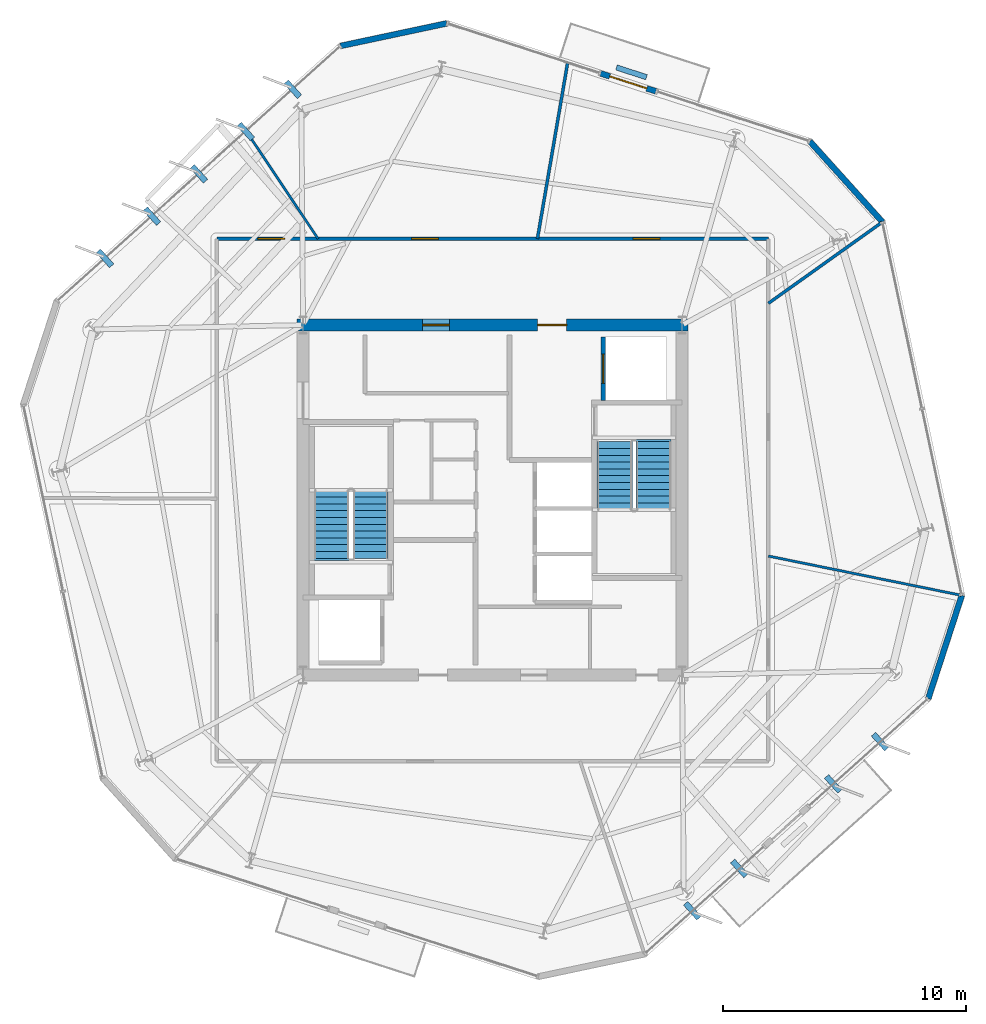
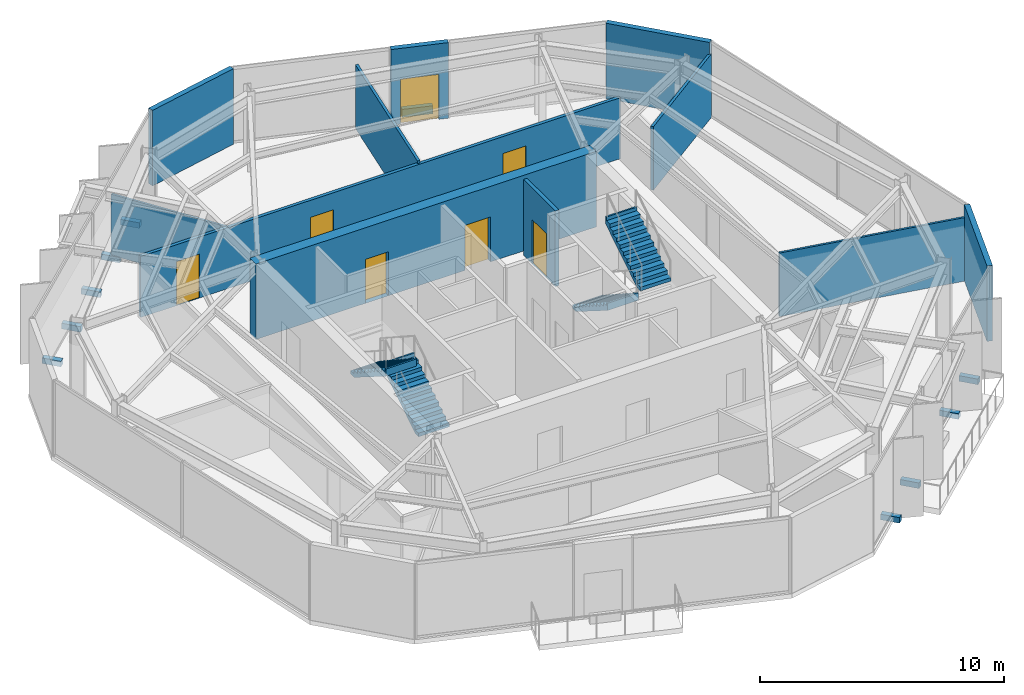
# One storey, part 8 of 11: 12 walls, 9 discrete accessories, 7 doors, 4 stair flights, 7 openings, 2 elements without a shape of their own.
"""IFC4 building model written with IfcOpenShell, lengths in metres."""

from ifc_helpers import new_model, si_unit, direction, frame, frame_2d, origin, origin_2d, place, context, subcontext, project, spatial, polyline, rectangle, outline, extrude, material, layer, layer_set, type_object, element, fill, aggregate, save


model = new_model("IFC4")

# Units and contexts
model_context = context("Model", 3, precision=1e-05, world=origin(), true_north=direction((0.0, 1.0)))
body_context = subcontext(model_context, "Body", "Model", "MODEL_VIEW")
ifc_project = project(units=[si_unit("LENGTHUNIT", "METRE"), si_unit("AREAUNIT", "SQUARE_METRE"), si_unit("VOLUMEUNIT", "CUBIC_METRE"), si_unit("PLANEANGLEUNIT", "RADIAN"), si_unit("MASSUNIT", "GRAM", prefix="KILO")], contexts=[model_context])

# Site, building, storey
site_placement = place(None, origin())
site = spatial("IfcSite", under=ifc_project, at=site_placement, CompositionType="ELEMENT")
building_placement = place(site_placement, origin())
building = spatial("IfcBuilding", under=site, at=building_placement, Name="Kranzbogen Civic Tower", CompositionType="ELEMENT")
storey_placement = place(building_placement, frame((0.0, 0.0, 192.800048828125)))
storey = spatial("IfcBuildingStorey", under=building, at=storey_placement, Name="L46", CompositionType="ELEMENT", Elevation=192.800048828125)

# Wall, openings, doors
ifc_material_1 = material(Name="Double-Stud Acoustic Gypsum Partition")
ifc_layer_1 = layer(ifc_material_1, 0.14990234375, Name="Double-Stud Acoustic Gypsum Partition")
ifc_layer_set_1 = layer_set([ifc_layer_1], Name="Double-Stud Acoustic Gypsum Partition")
wall_type_1 = type_object("IfcWallType", Name="Acoustic Corridor and Clinical Partition 150 mm", PredefinedType="PARTITIONING", material=ifc_layer_set_1)
wall_1_placement = place(storey_placement, frame((13.64990234375, 35.75, 0.0), z_axis=(0.0, 0.0, 1.0), x_axis=(1.0, 0.0, 0.0)))
wall_1 = element("IfcWall", 1, at=wall_1_placement, inside=storey, type_object=wall_type_1, Name="L46 corridor partition 01", PredefinedType="PARTITIONING", context=body_context, shape_type="SweptSolid", body=[
    extrude(rectangle(XDim=22.7001953125, YDim=0.14990234375, at=frame_2d((11.35009765625, 0.0))), origin(), (0.0, 0.0, 1.0), 3.050048828125),
])
opening_1_placement = place(wall_1_placement, frame((17.131103515625, 0.0, 0.0)))
opening_1 = element("IfcOpeningElement", 2, at=opening_1_placement, cuts=wall_1, Name="Opening D-COR60", PredefinedType="OPENING", context=body_context, shape_type="SweptSolid", body=[
    extrude(rectangle(XDim=1.10009765625, YDim=2.199951171875, at=frame_2d((0.550048828125, 1.10009765625))), frame((0.0, 0.0849609375, 0.0), z_axis=(0.0, -1.0, 0.0), x_axis=(1.0, 0.0, 0.0)), (0.0, 0.0, 1.0), 0.169921875),
])
opening_2_placement = place(wall_1_placement, frame((8.02294921875, 0.0, 0.0)))
opening_2 = element("IfcOpeningElement", 3, at=opening_2_placement, cuts=wall_1, Name="Opening D-COR60", PredefinedType="OPENING", context=body_context, shape_type="SweptSolid", body=[
    extrude(rectangle(XDim=1.10009765625, YDim=2.199951171875, at=frame_2d((0.550048828125, 1.10009765625))), frame((0.0, 0.0849609375, 0.0), z_axis=(0.0, -1.0, 0.0), x_axis=(1.0, 0.0, 0.0)), (0.0, 0.0, 1.0), 0.169921875),
])
opening_3_placement = place(wall_1_placement, frame((1.68994140625, 0.0, 0.0)))
opening_3 = element("IfcOpeningElement", 4, at=opening_3_placement, cuts=wall_1, Name="Opening D-COR60", PredefinedType="OPENING", context=body_context, shape_type="SweptSolid", body=[
    extrude(rectangle(XDim=1.10009765625, YDim=2.199951171875, at=frame_2d((0.550048828125, 1.10009765625))), frame((0.0, 0.0849609375, 0.0), z_axis=(0.0, -1.0, 0.0), x_axis=(1.0, 0.0, 0.0)), (0.0, 0.0, 1.0), 0.169921875),
])
ifc_material_2 = material(Name="Oak Timber and Fire Core", Category="wood")
door_type_1 = type_object("IfcDoorType", Name="Corridor Acoustic Fire Door 1100x2200", OperationType="NOTDEFINED", PredefinedType="DOOR", material=ifc_material_2)
door_1_placement = place(opening_1_placement, origin())
door_1 = element("IfcDoor", 5, at=door_1_placement, inside=storey, type_object=door_type_1, Name="L46 Central Mail Post Room door", OperationType="SINGLE_SWING_LEFT", OverallHeight=2.199951171875, OverallWidth=1.10009765625, PredefinedType="DOOR", context=body_context, shape_type="SweptSolid", body=[
    extrude(rectangle(XDim=1.10009765625, YDim=2.199951171875, at=frame_2d((0.550048828125, 1.10009765625))), frame((0.0, 0.02490234375, 0.0), z_axis=(0.0, -1.0, 0.0), x_axis=(1.0, 0.0, 0.0)), (0.0, 0.0, 1.0), 0.050048828125),
])
fill(opening_1, door_1)
door_2_placement = place(opening_2_placement, origin())
door_2 = element("IfcDoor", 6, at=door_2_placement, inside=storey, type_object=door_type_1, Name="L46 Duty Crew Control Room door", OperationType="SINGLE_SWING_RIGHT", OverallHeight=2.199951171875, OverallWidth=1.10009765625, PredefinedType="DOOR", context=body_context, shape_type="SweptSolid", body=[
    extrude(rectangle(XDim=1.10009765625, YDim=2.199951171875, at=frame_2d((0.550048828125, 1.10009765625))), frame((0.0, 0.02490234375, 0.0), z_axis=(0.0, -1.0, 0.0), x_axis=(1.0, 0.0, 0.0)), (0.0, 0.0, 1.0), 0.050048828125),
])
fill(opening_2, door_2)
door_3_placement = place(opening_3_placement, origin())
door_3 = element("IfcDoor", 7, at=door_3_placement, inside=storey, type_object=door_type_1, Name="L46 Citizen Services Kiosk door", OperationType="SINGLE_SWING_LEFT", OverallHeight=2.199951171875, OverallWidth=1.10009765625, PredefinedType="DOOR", context=body_context, shape_type="SweptSolid", body=[
    extrude(rectangle(XDim=1.10009765625, YDim=2.199951171875, at=frame_2d((0.550048828125, 1.10009765625))), frame((0.0, 0.02490234375, 0.0), z_axis=(0.0, -1.0, 0.0), x_axis=(1.0, 0.0, 0.0)), (0.0, 0.0, 1.0), 0.050048828125),
])
fill(opening_3, door_3)

# Walls
ifc_material_3 = material(Name="Insulated Metal-Stud Gypsum Partition")
ifc_layer_2 = layer(ifc_material_3, 0.125, Name="Insulated Metal-Stud Gypsum Partition")
ifc_layer_set_2 = layer_set([ifc_layer_2], Name="Insulated Metal-Stud Gypsum Partition")
wall_type_2 = type_object("IfcWallType", Name="Acoustic Inter-Room Partition 125 mm", PredefinedType="PARTITIONING", material=ifc_layer_set_2)
wall_2_placement = place(storey_placement, frame((26.845947265625, 35.75, 0.0), z_axis=(0.0, 0.0, 1.0), x_axis=(0.169145765644, 0.985591046005, 0.0)))
element("IfcWall", 8, at=wall_2_placement, inside=storey, type_object=wall_type_2, Name="L46 radial room partition 01", PredefinedType="PARTITIONING", context=body_context, shape_type="SweptSolid", body=[
    extrude(rectangle(XDim=7.336669921875, YDim=0.125, at=frame_2d((3.66845703125, 0.0))), origin(), (0.0, 0.0, 1.0), 3.179931640625),
])
wall_3_placement = place(storey_placement, frame((36.35009765625, 33.093017578125, 0.0), z_axis=(0.0, 0.0, 1.0), x_axis=(0.814241268053, 0.58052662075, 0.0)))
element("IfcWall", 9, at=wall_3_placement, inside=storey, type_object=wall_type_2, Name="L46 radial room partition 07", PredefinedType="PARTITIONING", context=body_context, shape_type="SweptSolid", body=[
    extrude(rectangle(XDim=5.746337890625, YDim=0.125, at=frame_2d((2.873046875, 0.0))), origin(), (0.0, 0.0, 1.0), 3.179931640625),
])
ifc_material_4 = material(Name="Architectural Precast Terracotta Concrete C40/50", Category="masonry")
ifc_layer_3 = layer(ifc_material_4, 0.219970703125, Name="Architectural Precast Terracotta Concrete C40/50")
ifc_layer_set_3 = layer_set([ifc_layer_3], Name="Architectural Precast Terracotta Concrete C40/50")
wall_type_3 = type_object("IfcWallType", Name="Architectural Tree Planter Kerb Wall 220 mm", PredefinedType="USERDEFINED", material=ifc_layer_set_3)
wall_4_placement = place(storey_placement, frame((31.3359375, 42.39794921875, 0.0), z_axis=(0.0, 0.0, 1.0), x_axis=(-0.950931858287, 0.309400389293, 0.0)))
element("IfcWall", 10, at=wall_4_placement, inside=storey, type_object=wall_type_3, Name="L46 landscaped tree balcony planter L46-TB1", ObjectType="PLANTER_WALL", PredefinedType="USERDEFINED", context=body_context, shape_type="SweptSolid", body=[
    extrude(rectangle(XDim=1.299560546875, YDim=0.219970703125, at=frame_2d((0.64990234375, 0.0))), origin(), (0.0, 0.0, 1.0), 0.39990234375),
])

# Wall, openings, doors
ifc_material_5 = material(Name="Concrete C45/55", Category="concrete")
ifc_layer_4 = layer(ifc_material_5, 0.5, Name="Concrete C45/55")
ifc_layer_set_4 = layer_set([ifc_layer_4], Name="Concrete C45/55")
wall_type_4 = type_object("IfcWallType", Name="Central Core Shear Wall 500 mm", PredefinedType="SHEAR", material=ifc_layer_set_4)
wall_5_placement = place(storey_placement, frame((33.050048828125, 32.199951171875, 0.0), z_axis=(0.0, 0.0, 1.0), x_axis=(-1.0, 0.0, 0.0)))
wall_5 = element("IfcWall", 11, at=wall_5_placement, inside=storey, type_object=wall_type_4, Name="L46 central core North shear wall", PredefinedType="SHEAR", context=body_context, shape_type="SweptSolid", body=[
    extrude(rectangle(XDim=16.10009765625, YDim=0.5, at=frame_2d((8.050048828125, 0.0))), origin(), (0.0, 0.0, 1.0), 3.780029296875),
])
opening_4_placement = place(wall_5_placement, frame((5.0, 0.0, 0.0)))
opening_4 = element("IfcOpeningElement", 12, at=opening_4_placement, cuts=wall_5, Name="Opening D-EX120", PredefinedType="OPENING", context=body_context, shape_type="SweptSolid", body=[
    extrude(rectangle(XDim=1.199951171875, YDim=2.25, at=frame_2d((0.60009765625, 1.125))), frame((0.0, 0.260009765625, 0.0), z_axis=(0.0, -1.0, 0.0), x_axis=(1.0, 0.0, 0.0)), (0.0, 0.0, 1.0), 0.52001953125),
])
opening_5_placement = place(wall_5_placement, frame((9.824951171875, 0.0, 0.0)))
opening_5 = element("IfcOpeningElement", 13, at=opening_5_placement, cuts=wall_5, Name="Opening D-COR60", PredefinedType="OPENING", context=body_context, shape_type="SweptSolid", body=[
    extrude(rectangle(XDim=1.10009765625, YDim=2.199951171875, at=frame_2d((0.550048828125, 1.10009765625))), frame((0.0, 0.260009765625, 0.0), z_axis=(0.0, -1.0, 0.0), x_axis=(1.0, 0.0, 0.0)), (0.0, 0.0, 1.0), 0.52001953125),
])
door_4_placement = place(opening_5_placement, origin())
door_4 = element("IfcDoor", 14, at=door_4_placement, inside=storey, type_object=door_type_1, Name="L46 DAT1 comms room door", OperationType="SINGLE_SWING_RIGHT", OverallHeight=2.199951171875, OverallWidth=1.10009765625, PredefinedType="DOOR", context=body_context, shape_type="SweptSolid", body=[
    extrude(rectangle(XDim=1.10009765625, YDim=2.199951171875, at=frame_2d((0.550048828125, 1.10009765625))), frame((0.0, 0.02490234375, 0.0), z_axis=(0.0, -1.0, 0.0), x_axis=(1.0, 0.0, 0.0)), (0.0, 0.0, 1.0), 0.050048828125),
])
fill(opening_5, door_4)
ifc_material_6 = material(Name="Steel S355", Category="steel")
door_type_2 = type_object("IfcDoorType", Name="Exit Passageway Fire Door 1200x2250", OperationType="NOTDEFINED", PredefinedType="DOOR", material=ifc_material_6)
door_5_placement = place(opening_4_placement, origin())
door_5 = element("IfcDoor", 15, at=door_5_placement, inside=storey, type_object=door_type_2, Name="L46 East firefighting lobby corridor door", OperationType="SINGLE_SWING_LEFT", OverallHeight=2.25, OverallWidth=1.199951171875, PredefinedType="DOOR", context=body_context, shape_type="SweptSolid", body=[
    extrude(rectangle(XDim=1.199951171875, YDim=2.25, at=frame_2d((0.60009765625, 1.125))), frame((0.0, 0.02490234375, 0.0), z_axis=(0.0, -1.0, 0.0), x_axis=(1.0, 0.0, 0.0)), (0.0, 0.0, 1.0), 0.050048828125),
])
fill(opening_4, door_5)

# Walls
ifc_material_7 = material(Name="Demountable Aluminium and Gypsum Partition", Category="aluminium")
ifc_layer_5 = layer(ifc_material_7, 0.10009765625, Name="Demountable Aluminium and Gypsum Partition")
ifc_layer_set_5 = layer_set([ifc_layer_5], Name="Demountable Aluminium and Gypsum Partition")
wall_type_5 = type_object("IfcWallType", Name="Demountable Office Partition 100 mm", PredefinedType="MOVABLE", material=ifc_layer_set_5)
wall_6_placement = place(storey_placement, frame((17.820068359375, 35.75, 0.0), z_axis=(0.0, 0.0, 1.0), x_axis=(-0.555462961573, 0.831541278783, 0.0)))
element("IfcWall", 16, at=wall_6_placement, inside=storey, type_object=wall_type_5, Name="L46 radial room partition 02", PredefinedType="MOVABLE", context=body_context, shape_type="SweptSolid", body=[
    extrude(rectangle(XDim=5.31640625, YDim=0.10009765625, at=frame_2d((2.658203125, 0.0))), origin(), (0.0, 0.0, 1.0), 3.050048828125),
])
wall_7_placement = place(storey_placement, frame((36.35009765625, 22.693115234375, 0.0), z_axis=(0.0, 0.0, 1.0), x_axis=(0.979938257783, -0.199301306901, 0.0)))
element("IfcWall", 17, at=wall_7_placement, inside=storey, type_object=wall_type_5, Name="L46 radial room partition 06", PredefinedType="MOVABLE", context=body_context, shape_type="SweptSolid", body=[
    extrude(rectangle(XDim=8.1044921875, YDim=0.10009765625, at=frame_2d((4.05224609375, 0.0))), origin(), (0.0, 0.0, 1.0), 3.179931640625),
])

# Wall, opening, door
ifc_material_8 = material(Name="Gypsum Fireboard Shaftliner")
ifc_layer_6 = layer(ifc_material_8, 0.175048828125, Name="Gypsum Fireboard Shaftliner")
ifc_layer_set_6 = layer_set([ifc_layer_6], Name="Gypsum Fireboard Shaftliner")
wall_type_6 = type_object("IfcWallType", Name="Fire-Rated Lift and Service Shaft Wall 175 mm", PredefinedType="PARTITIONING", material=ifc_layer_set_6)
wall_8_placement = place(storey_placement, frame((29.550048828125, 29.10009765625, 0.0), z_axis=(0.0, 0.0, 1.0), x_axis=(0.0, 1.0, 0.0)))
wall_8 = element("IfcWall", 18, at=wall_8_placement, inside=storey, type_object=wall_type_6, Name="L46 lift FF-02 landing wall", PredefinedType="PARTITIONING", context=body_context, shape_type="SweptSolid", body=[
    extrude(rectangle(XDim=2.599853515625, YDim=0.175048828125, at=frame_2d((1.2998046875, 0.0))), origin(), (0.0, 0.0, 1.0), 3.780029296875),
])
opening_6_placement = place(wall_8_placement, frame((0.699951171875, 0.0, 0.0)))
opening_6 = element("IfcOpeningElement", 19, at=opening_6_placement, cuts=wall_8, Name="Opening LD-FF-02", PredefinedType="OPENING", context=body_context, shape_type="SweptSolid", body=[
    extrude(rectangle(XDim=1.199951171875, YDim=2.199951171875, at=frame_2d((0.60009765625, 1.10009765625))), frame((0.0, 0.09765625, 0.0), z_axis=(0.0, -1.0, 0.0), x_axis=(1.0, 0.0, 0.0)), (0.0, 0.0, 1.0), 0.195068359375),
])
ifc_material_9 = material(Name="Pale Anodised Aluminium", Category="aluminium")
door_type_3 = type_object("IfcDoorType", Name="Firefighting and Stretcher Lift Sliding Landing Door 1200x2200", OperationType="DOUBLE_DOOR_SLIDING", PredefinedType="DOOR", material=ifc_material_9)
door_6_placement = place(opening_6_placement, origin())
door_6 = element("IfcDoor", 20, at=door_6_placement, inside=storey, type_object=door_type_3, Name="L46 lift FF-02 sliding landing door", OperationType="DOUBLE_DOOR_SLIDING", OverallHeight=2.199951171875, OverallWidth=1.199951171875, PredefinedType="DOOR", context=body_context, shape_type="SweptSolid", body=[
    extrude(rectangle(XDim=1.199951171875, YDim=2.199951171875, at=frame_2d((0.60009765625, 1.10009765625))), frame((0.0, 0.02490234375, 0.0), z_axis=(0.0, -1.0, 0.0), x_axis=(1.0, 0.0, 0.0)), (0.0, 0.0, 1.0), 0.050048828125),
])
fill(opening_6, door_6)

ifc_layer_7 = layer(ifc_material_9, 0.239990234375, Name="Pale Anodised Aluminium")
ifc_layer_set_7 = layer_set([ifc_layer_7], Name="Pale Anodised Aluminium")
wall_type_7 = type_object("IfcWallType", Name="Insulated Aluminium Facade Portal Wall 240 mm", PredefinedType="STANDARD", material=ifc_layer_set_7)
wall_9_placement = place(storey_placement, frame((31.72607421875, 41.81591796875, 0.0), z_axis=(0.0, 0.0, 1.0), x_axis=(-0.951006411901, 0.309171157328, 0.0)))
wall_9 = element("IfcWall", 21, at=wall_9_placement, inside=storey, type_object=wall_type_7, Name="L46 exterior entrance portal wall 1", PredefinedType="STANDARD", context=body_context, shape_type="SweptSolid", body=[
    extrude(rectangle(XDim=2.400634765625, YDim=0.239990234375, at=frame_2d((1.2001953125, 0.0))), origin(), (0.0, 0.0, 1.0), 3.780029296875),
])
opening_7_placement = place(wall_9_placement, frame((0.39990234375, 0.0, 0.0)))
opening_7 = element("IfcOpeningElement", 22, at=opening_7_placement, cuts=wall_9, Name="Opening D-TER", PredefinedType="OPENING", context=body_context, shape_type="SweptSolid", body=[
    extrude(rectangle(XDim=1.60009765625, YDim=2.25, at=frame_2d((0.800048828125, 1.125))), frame((0.0, 0.1298828125, 0.0), z_axis=(0.0, -1.0, 0.0), x_axis=(1.0, 0.0, 0.0)), (0.0, 0.0, 1.0), 0.260009765625),
])
ifc_material_10 = material(Name="Anodised Bronze and Triple Glass", Category="glass")
door_type_4 = type_object("IfcDoorType", Name="Glazed Terrace and Balcony Double Door 1600x2250", OperationType="DOUBLE_DOOR_SINGLE_SWING", PredefinedType="DOOR", material=ifc_material_10)
door_7_placement = place(opening_7_placement, frame((1.60009765625, 0.0, 0.0), z_axis=(0.0, 0.0, 1.0), x_axis=(-1.0, 0.0, 0.0)))
door_7 = element("IfcDoor", 23, at=door_7_placement, inside=storey, type_object=door_type_4, Name="L46 tree balcony access door L46-TB1", OperationType="DOUBLE_DOOR_SINGLE_SWING", OverallHeight=2.25, OverallWidth=1.60009765625, PredefinedType="DOOR", context=body_context, shape_type="SweptSolid", body=[
    extrude(rectangle(XDim=1.60009765625, YDim=2.25, at=frame_2d((0.800048828125, 1.125))), frame((0.0, 0.02490234375, 0.0), z_axis=(0.0, -1.0, 0.0), x_axis=(1.0, 0.0, 0.0)), (0.0, 0.0, 1.0), 0.050048828125),
])
fill(opening_7, door_7)

# Walls
for number, where, z_axis, x_axis, name in (
    (24, (23.114990234375, 44.614013671875, 0.0), (0.0, 0.0, 1.0), (-0.978154407503, -0.20787966491, 0.0), "L46 chamfered corner facade spandrel 1"),
    (25, (42.928955078125, 16.824951171875, 0.0), (0.0, 0.0, 1.0), (0.309056424215, 0.95104370386, 0.0), "L46 chamfered corner facade spandrel 5"),
):
    element("IfcWall", number, at=place(storey_placement, frame(where, z_axis=z_axis, x_axis=x_axis)), inside=storey, type_object=wall_type_7, Name=name, PredefinedType="STANDARD", context=body_context, shape_type="SweptSolid", body=[
        extrude(rectangle(XDim=4.46875, YDim=0.239990234375, at=frame_2d((2.234375, 0.0))), origin(), (0.0, 0.0, 1.0), 3.780029296875),
    ])
wall_10_placement = place(storey_placement, frame((41.0439453125, 36.43994140625, 0.0), z_axis=(0.0, 0.0, 1.0), x_axis=(-0.669203190827, 0.74307946371, 0.0)))
element("IfcWall", 26, at=wall_10_placement, inside=storey, type_object=wall_type_7, Name="L46 chamfered corner facade spandrel 6", PredefinedType="STANDARD", context=body_context, shape_type="SweptSolid", body=[
    extrude(rectangle(XDim=4.468017578125, YDim=0.239990234375, at=frame_2d((2.23388671875, 0.0))), origin(), (0.0, 0.0, 1.0), 3.780029296875),
])

# Stair, stair flights
ifc_material_11 = material(Name="Precast concrete C40/50", Category="concrete")
stair_type_1 = type_object("IfcStairType", Name="Tower Core Pressurized Dogleg Stair 1450", PredefinedType="HALF_TURN_STAIR", material=ifc_material_11)
stair_1_placement = place(storey_placement, origin())
stair_1 = element("IfcStair", 27, at=stair_1_placement, inside=storey, type_object=stair_type_1, Name="L46 Tower Core Pressurized Stair 1", PredefinedType="HALF_TURN_STAIR")
stair_flight_type = type_object("IfcStairFlightType", Name="Precast Concrete Stair Flight R180", PredefinedType="STRAIGHT", material=ifc_material_11)
stair_flight_1_placement = place(storey_placement, frame((19.97509765625, 22.60009765625, 0.0), z_axis=(0.0, 0.0, 1.0), x_axis=(0.0, 1.0, 0.0)))
stair_flight_1 = element("IfcStairFlight", 28, at=stair_flight_1_placement, type_object=stair_flight_type, Name="ST-T1 flight 1", NumberOfRisers=11, NumberOfTreads=10, PredefinedType="STRAIGHT", RiserHeight=0.181818182, TreadLength=0.28, context=body_context, shape_type="SweptSolid", body=[
    extrude(outline(polyline([(0.0, 0.0), (0.0, 0.181884765625), (0.280029296875, 0.181884765625), (0.280029296875, 0.363525390625), (0.56005859375, 0.363525390625), (0.56005859375, 0.54541015625), (0.840087890625, 0.54541015625), (0.840087890625, 0.727294921875), (1.1201171875, 0.727294921875), (1.1201171875, 0.9091796875), (1.39990234375, 0.9091796875), (1.39990234375, 1.0908203125), (1.679931640625, 1.0908203125), (1.679931640625, 1.272705078125), (1.9599609375, 1.272705078125), (1.9599609375, 1.45458984375), (2.239990234375, 1.45458984375), (2.239990234375, 1.636474609375), (2.52001953125, 1.636474609375), (2.52001953125, 1.818115234375), (2.800048828125, 1.818115234375), (2.800048828125, 2.0), (2.880126953125, 2.0), (2.880126953125, 1.639404296875), (0.275146484375, 0.0), (0.0, 0.0)])), frame((0.0, 0.72509765625, 0.0), z_axis=(0.0, -1.0, 0.0), x_axis=(1.0, 0.0, 0.0)), (0.0, 0.0, 1.0), 1.449951171875),
])
stair_flight_2_placement = place(storey_placement, frame((18.375, 25.39990234375, 2.0), z_axis=(0.0, 0.0, 1.0), x_axis=(0.0, -1.0, 0.0)))
stair_flight_2 = element("IfcStairFlight", 29, at=stair_flight_2_placement, type_object=stair_flight_type, Name="ST-T1 flight 2", NumberOfRisers=11, NumberOfTreads=10, PredefinedType="STRAIGHT", RiserHeight=0.181818182, TreadLength=0.28, context=body_context, shape_type="SweptSolid", body=[
    extrude(outline(polyline([(0.0, 0.0), (0.0, 0.181884765625), (0.280029296875, 0.181884765625), (0.280029296875, 0.363525390625), (0.56005859375, 0.363525390625), (0.56005859375, 0.54541015625), (0.840087890625, 0.54541015625), (0.840087890625, 0.727294921875), (1.1201171875, 0.727294921875), (1.1201171875, 0.9091796875), (1.39990234375, 0.9091796875), (1.39990234375, 1.0908203125), (1.679931640625, 1.0908203125), (1.679931640625, 1.272705078125), (1.9599609375, 1.272705078125), (1.9599609375, 1.45458984375), (2.239990234375, 1.45458984375), (2.239990234375, 1.636474609375), (2.52001953125, 1.636474609375), (2.52001953125, 1.818115234375), (2.800048828125, 1.818115234375), (2.800048828125, 2.0), (2.880126953125, 2.0), (2.880126953125, 1.639404296875), (0.275146484375, 0.0), (0.0, 0.0)])), frame((0.0, 0.72509765625, 0.0), z_axis=(0.0, -1.0, 0.0), x_axis=(1.0, 0.0, 0.0)), (0.0, 0.0, 1.0), 1.449951171875),
])
aggregate(stair_1, [stair_flight_1, stair_flight_2])

stair_type_2 = type_object("IfcStairType", Name="Tower Core Secondary Dogleg Stair 1450", PredefinedType="HALF_TURN_STAIR", material=ifc_material_11)
stair_2_placement = place(storey_placement, origin())
stair_2 = element("IfcStair", 30, at=stair_2_placement, inside=storey, type_object=stair_type_2, Name="L46 Tower Core Pressurized Stair 2", PredefinedType="HALF_TURN_STAIR")
stair_flight_3_placement = place(storey_placement, frame((30.02490234375, 27.39990234375, 0.0), z_axis=(0.0, 0.0, 1.0), x_axis=(0.0, -1.0, 0.0)))
stair_flight_3 = element("IfcStairFlight", 31, at=stair_flight_3_placement, type_object=stair_flight_type, Name="ST-T2 flight 1", NumberOfRisers=11, NumberOfTreads=10, PredefinedType="STRAIGHT", RiserHeight=0.181818182, TreadLength=0.28, context=body_context, shape_type="SweptSolid", body=[
    extrude(outline(polyline([(0.0, 0.0), (0.0, 0.181884765625), (0.280029296875, 0.181884765625), (0.280029296875, 0.363525390625), (0.56005859375, 0.363525390625), (0.56005859375, 0.54541015625), (0.840087890625, 0.54541015625), (0.840087890625, 0.727294921875), (1.1201171875, 0.727294921875), (1.1201171875, 0.9091796875), (1.39990234375, 0.9091796875), (1.39990234375, 1.0908203125), (1.679931640625, 1.0908203125), (1.679931640625, 1.272705078125), (1.9599609375, 1.272705078125), (1.9599609375, 1.45458984375), (2.239990234375, 1.45458984375), (2.239990234375, 1.636474609375), (2.52001953125, 1.636474609375), (2.52001953125, 1.818115234375), (2.800048828125, 1.818115234375), (2.800048828125, 2.0), (2.880126953125, 2.0), (2.880126953125, 1.639404296875), (0.275146484375, 0.0), (0.0, 0.0)])), frame((0.0, 0.72509765625, 0.0), z_axis=(0.0, -1.0, 0.0), x_axis=(1.0, 0.0, 0.0)), (0.0, 0.0, 1.0), 1.449951171875),
])
stair_flight_4_placement = place(storey_placement, frame((31.625, 24.60009765625, 2.0), z_axis=(0.0, 0.0, 1.0), x_axis=(0.0, 1.0, 0.0)))
stair_flight_4 = element("IfcStairFlight", 32, at=stair_flight_4_placement, type_object=stair_flight_type, Name="ST-T2 flight 2", NumberOfRisers=11, NumberOfTreads=10, PredefinedType="STRAIGHT", RiserHeight=0.181818182, TreadLength=0.28, context=body_context, shape_type="SweptSolid", body=[
    extrude(outline(polyline([(0.0, 0.0), (0.0, 0.181884765625), (0.280029296875, 0.181884765625), (0.280029296875, 0.363525390625), (0.56005859375, 0.363525390625), (0.56005859375, 0.54541015625), (0.840087890625, 0.54541015625), (0.840087890625, 0.727294921875), (1.1201171875, 0.727294921875), (1.1201171875, 0.9091796875), (1.39990234375, 0.9091796875), (1.39990234375, 1.0908203125), (1.679931640625, 1.0908203125), (1.679931640625, 1.272705078125), (1.9599609375, 1.272705078125), (1.9599609375, 1.45458984375), (2.239990234375, 1.45458984375), (2.239990234375, 1.636474609375), (2.52001953125, 1.636474609375), (2.52001953125, 1.818115234375), (2.800048828125, 1.818115234375), (2.800048828125, 2.0), (2.880126953125, 2.0), (2.880126953125, 1.639404296875), (0.275146484375, 0.0), (0.0, 0.0)])), frame((0.0, 0.72509765625, 0.0), z_axis=(0.0, -1.0, 0.0), x_axis=(1.0, 0.0, 0.0)), (0.0, 0.0, 1.0), 1.449951171875),
])
aggregate(stair_2, [stair_flight_3, stair_flight_4])

# Discrete accessories
discrete_accessory_type = type_object("IfcDiscreteAccessoryType", Name="Structural Curtain-Wall Fin Support Bracket", PredefinedType="BRACKET", material=ifc_material_6)
for number, where, z_axis, x_axis, name in (
    (33, (16.780029296875, 41.90087890625, -0.25), (0.0, 0.0, 1.0), (-0.669130606359, 0.743144825477, 0.0), "L46 facade fin support bracket F2-1"),
    (34, (14.847900390625, 40.160888671875, -0.25), (0.0, 0.0, 1.0), (-0.669130606359, 0.743144825477, 0.0), "L46 facade fin support bracket F2-2"),
    (35, (12.916015625, 38.4208984375, -0.25), (0.0, 0.0, 1.0), (-0.669130606359, 0.743144825477, 0.0), "L46 facade fin support bracket F2-3"),
    (36, (10.98291015625, 36.681884765625, -0.25), (0.0, 0.0, 1.0), (-0.669130606359, 0.743144825477, 0.0), "L46 facade fin support bracket F2-4"),
    (37, (9.051025390625, 34.94189453125, -0.25), (0.0, 0.0, 1.0), (-0.669130606359, 0.743144825477, 0.0), "L46 facade fin support bracket F2-5"),
    (38, (33.219970703125, 8.09912109375, -0.25), (0.0, 0.0, 1.0), (0.669130606359, -0.743144825477, 0.0), "L46 facade fin support bracket F5-1"),
    (39, (35.152099609375, 9.839111328125, -0.25), (0.0, 0.0, 1.0), (0.669130606359, -0.743144825477, 0.0), "L46 facade fin support bracket F5-2"),
    (40, (39.01708984375, 13.318115234375, -0.25), (0.0, 0.0, 1.0), (0.669130606359, -0.743144825477, 0.0), "L46 facade fin support bracket F5-4"),
    (41, (40.948974609375, 15.05810546875, -0.25), (0.0, 0.0, 1.0), (0.669130606359, -0.743144825477, 0.0), "L46 facade fin support bracket F5-5"),
):
    element("IfcDiscreteAccessory", number, at=place(storey_placement, frame(where, z_axis=z_axis, x_axis=x_axis)), inside=storey, type_object=discrete_accessory_type, Name=name, PredefinedType="BRACKET", context=body_context, shape_type="SweptSolid", body=[
        extrude(rectangle(XDim=0.820068359375, YDim=0.239990234375, at=origin_2d()), origin(), (0.0, 0.0, 1.0), 0.280029296875),
    ])

save(model, "model.ifc")
